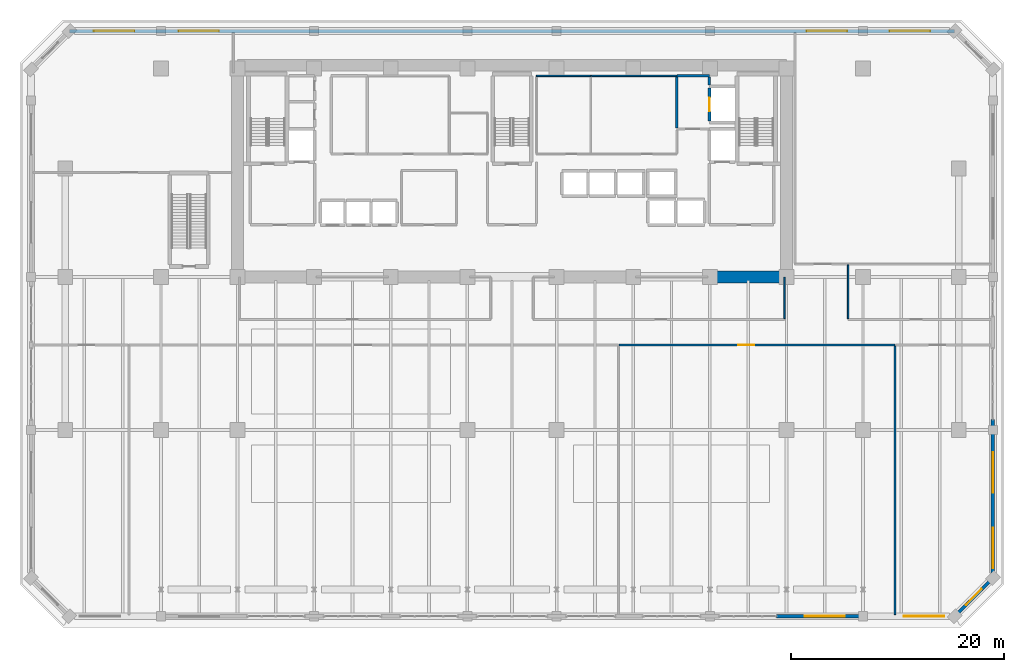
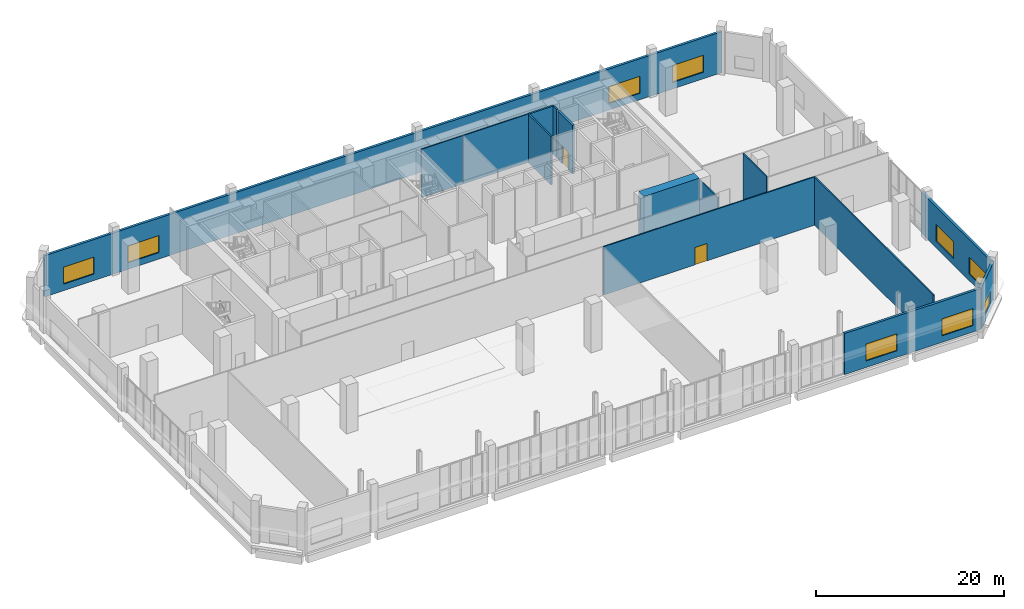
# One storey, part 24 of 29: 15 walls, 9 windows, 2 doors, 11 openings.
"""IFC4 building model written with IfcOpenShell, lengths in metres."""

from ifc_helpers import new_model, si_unit, direction, frame, frame_2d, origin, place, context, subcontext, project, spatial, rectangle, extrude, material, layer, layer_set, type_object, element, fill, save


model = new_model("IFC4")

# Units and contexts
model_context = context("Model", 3, precision=1e-05, world=origin(), true_north=direction((0.0, 1.0)))
body_context = subcontext(model_context, "Body", "Model", "MODEL_VIEW")
ifc_project = project(units=[si_unit("LENGTHUNIT", "METRE"), si_unit("AREAUNIT", "SQUARE_METRE"), si_unit("VOLUMEUNIT", "CUBIC_METRE"), si_unit("PLANEANGLEUNIT", "RADIAN"), si_unit("MASSUNIT", "GRAM", prefix="KILO")], contexts=[model_context])

# Site, building, storey
site_placement = place(None, origin())
site = spatial("IfcSite", under=ifc_project, at=site_placement, CompositionType="ELEMENT")
building_placement = place(site_placement, origin())
building = spatial("IfcBuilding", under=site, at=building_placement, Name="Kaelvorn Grand Hotel", CompositionType="ELEMENT")
storey_placement = place(building_placement, frame((0.0, 0.0, 19.39990234375)))
storey = spatial("IfcBuildingStorey", under=building, at=storey_placement, Name="L03", CompositionType="ELEMENT", Elevation=19.39990234375)

# Wall
ifc_material_1 = material(Name="Concrete C80/95", Category="concrete")
ifc_layer_1 = layer(ifc_material_1, 1.10009765625)
ifc_layer_set_1 = layer_set([ifc_layer_1], Name="Concrete C80/95")
wall_type_1 = type_object("IfcWallType", Name="WL-CORE-1100-C80", PredefinedType="SHEAR", material=ifc_layer_set_1)
wall_1_placement = place(storey_placement, frame((60.39990234375, 29.39990234375, 0.0), z_axis=(0.0, 0.0, 1.0), x_axis=(1.0, 0.0, 0.0)))
element("IfcWall", 1, at=wall_1_placement, inside=storey, type_object=wall_type_1, Name="L03 Rear-Core Coupled Shear Pier S4", PredefinedType="SHEAR", context=body_context, shape_type="SweptSolid", body=[
    extrude(rectangle(XDim=6.84521484375, YDim=1.10009765625, at=frame_2d((3.422607421875, 0.0))), origin(), (0.0, 0.0, 1.0), 6.280029296875),
])

# Wall, openings, windows
ifc_material_2 = material(Name="Concrete C40/50", Category="concrete")
ifc_layer_2 = layer(ifc_material_2, 0.300048828125)
ifc_layer_set_2 = layer_set([ifc_layer_2], Name="Concrete C40/50")
wall_type_2 = type_object("IfcWallType", Name="WL-EXT-300-C40", PredefinedType="SOLIDWALL", material=ifc_layer_set_2)
wall_2_placement = place(storey_placement, frame((66.875, -2.5, 0.0), z_axis=(0.0, 0.0, 1.0), x_axis=(1.0, 0.0, 0.0)))
wall_2 = element("IfcWall", 2, at=wall_2_placement, inside=storey, type_object=wall_type_2, Name="L03 Exterior Architectural Concrete Wall 01 Pier 8", PredefinedType="SOLIDWALL", context=body_context, shape_type="SweptSolid", body=[
    extrude(rectangle(XDim=16.72509765625, YDim=0.300048828125, at=frame_2d((8.362548828125, 0.0))), origin(), (0.0, 0.0, 1.0), 5.330078125),
])
opening_1_placement = place(wall_2_placement, frame((2.625, 0.0, 0.85009765625)))
opening_1 = element("IfcOpeningElement", 3, at=opening_1_placement, cuts=wall_2, Name="Opening W9", PredefinedType="OPENING", context=body_context, shape_type="SweptSolid", body=[
    extrude(rectangle(XDim=3.800048828125, YDim=2.199951171875, at=frame_2d((1.89990234375, 1.10009765625))), frame((0.0, 0.16015625, 0.0), z_axis=(0.0, -1.0, 0.0), x_axis=(1.0, 0.0, 0.0)), (0.0, 0.0, 1.0), 0.320068359375),
])
opening_2_placement = place(wall_2_placement, frame((11.949951171875, 0.0, 0.85009765625)))
opening_2 = element("IfcOpeningElement", 4, at=opening_2_placement, cuts=wall_2, Name="Opening W9", PredefinedType="OPENING", context=body_context, shape_type="SweptSolid", body=[
    extrude(rectangle(XDim=3.800048828125, YDim=2.199951171875, at=frame_2d((1.89990234375, 1.10009765625))), frame((0.0, 0.16015625, 0.0), z_axis=(0.0, -1.0, 0.0), x_axis=(1.0, 0.0, 0.0)), (0.0, 0.0, 1.0), 0.320068359375),
])
ifc_material_3 = material(Name="Laminated Low-E Glass", Category="glass")
window_type_1 = type_object("IfcWindowType", Name="WIN-POD-3800x2200", PartitioningType="SINGLE_PANEL", PredefinedType="WINDOW", material=ifc_material_3)
window_1_placement = place(opening_1_placement, origin())
window_1 = element("IfcWindow", 5, at=window_1_placement, inside=storey, type_object=window_type_1, Name="L03 Podium South Ribbon Window 1", OverallHeight=2.199951171875, OverallWidth=3.800048828125, PartitioningType="SINGLE_PANEL", PredefinedType="WINDOW", context=body_context, shape_type="SweptSolid", body=[
    extrude(rectangle(XDim=3.800048828125, YDim=2.199951171875, at=frame_2d((1.89990234375, 1.10009765625))), frame((0.0, 0.030029296875, 0.0), z_axis=(0.0, -1.0, 0.0), x_axis=(1.0, 0.0, 0.0)), (0.0, 0.0, 1.0), 0.06005859375),
])
fill(opening_1, window_1)
window_2_placement = place(opening_2_placement, origin())
window_2 = element("IfcWindow", 6, at=window_2_placement, inside=storey, type_object=window_type_1, Name="L03 Podium South Ribbon Window 2", OverallHeight=2.199951171875, OverallWidth=3.800048828125, PartitioningType="SINGLE_PANEL", PredefinedType="WINDOW", context=body_context, shape_type="SweptSolid", body=[
    extrude(rectangle(XDim=3.800048828125, YDim=2.199951171875, at=frame_2d((1.89990234375, 1.10009765625))), frame((0.0, 0.030029296875, 0.0), z_axis=(0.0, -1.0, 0.0), x_axis=(1.0, 0.0, 0.0)), (0.0, 0.0, 1.0), 0.06005859375),
])
fill(opening_2, window_2)

# Wall, opening, window
wall_3_placement = place(storey_placement, frame((83.60009765625, -2.5, 0.0), z_axis=(0.0, 0.0, 1.0), x_axis=(0.707082803744, 0.707130757816, 0.0)))
wall_3 = element("IfcWall", 7, at=wall_3_placement, inside=storey, type_object=wall_type_2, Name="L03 Exterior Architectural Concrete Wall 02", PredefinedType="SOLIDWALL", context=body_context, shape_type="SweptSolid", body=[
    extrude(rectangle(XDim=5.091064453125, YDim=0.300048828125, at=frame_2d((2.54541015625, 0.0))), origin(), (0.0, 0.0, 1.0), 5.330078125),
])
opening_3_placement = place(wall_3_placement, frame((1.49560546875, 0.0, 0.85009765625)))
opening_3 = element("IfcOpeningElement", 8, at=opening_3_placement, cuts=wall_3, Name="Opening W7", PredefinedType="OPENING", context=body_context, shape_type="SweptSolid", body=[
    extrude(rectangle(XDim=2.10009765625, YDim=1.60009765625, at=frame_2d((1.050048828125, 0.800048828125))), frame((0.0, 0.16015625, 0.0), z_axis=(0.0, -1.0, 0.0), x_axis=(1.0, 0.0, 0.0)), (0.0, 0.0, 1.0), 0.320068359375),
])
window_type_2 = type_object("IfcWindowType", Name="WIN-CHM-2100x1600", PartitioningType="SINGLE_PANEL", PredefinedType="WINDOW", material=ifc_material_3)
window_3_placement = place(opening_3_placement, origin())
window_3 = element("IfcWindow", 9, at=window_3_placement, inside=storey, type_object=window_type_2, Name="L03 Chamfered 45-Degree Corner Window SE", OverallHeight=1.60009765625, OverallWidth=2.10009765625, PartitioningType="SINGLE_PANEL", PredefinedType="WINDOW", context=body_context, shape_type="SweptSolid", body=[
    extrude(rectangle(XDim=2.10009765625, YDim=1.60009765625, at=frame_2d((1.050048828125, 0.800048828125))), frame((0.0, 0.030029296875, 0.0), z_axis=(0.0, -1.0, 0.0), x_axis=(1.0, 0.0, 0.0)), (0.0, 0.0, 1.0), 0.06005859375),
])
fill(opening_3, window_3)

# Wall, openings, windows
wall_4_placement = place(storey_placement, frame((87.199951171875, 1.10009765625, 0.0), z_axis=(0.0, 0.0, 1.0), x_axis=(0.0, 1.0, 0.0)))
wall_4 = element("IfcWall", 10, at=wall_4_placement, inside=storey, type_object=wall_type_2, Name="L03 Exterior Architectural Concrete Wall 03 Pier 1", PredefinedType="SOLIDWALL", context=body_context, shape_type="SweptSolid", body=[
    extrude(rectangle(XDim=14.90478515625, YDim=0.300048828125, at=frame_2d((7.452392578125, 0.0))), origin(), (0.0, 0.0, 1.0), 5.330078125),
])
opening_4_placement = place(wall_4_placement, frame((0.925048828125, 0.0, 0.85009765625)))
opening_4 = element("IfcOpeningElement", 11, at=opening_4_placement, cuts=wall_4, Name="Opening W9", PredefinedType="OPENING", context=body_context, shape_type="SweptSolid", body=[
    extrude(rectangle(XDim=3.800048828125, YDim=2.199951171875, at=frame_2d((1.89990234375, 1.10009765625))), frame((0.0, 0.16015625, 0.0), z_axis=(0.0, -1.0, 0.0), x_axis=(1.0, 0.0, 0.0)), (0.0, 0.0, 1.0), 0.320068359375),
])
opening_5_placement = place(wall_4_placement, frame((8.0, 0.0, 0.85009765625)))
opening_5 = element("IfcOpeningElement", 12, at=opening_5_placement, cuts=wall_4, Name="Opening W9", PredefinedType="OPENING", context=body_context, shape_type="SweptSolid", body=[
    extrude(rectangle(XDim=3.800048828125, YDim=2.199951171875, at=frame_2d((1.89990234375, 1.10009765625))), frame((0.0, 0.16015625, 0.0), z_axis=(0.0, -1.0, 0.0), x_axis=(1.0, 0.0, 0.0)), (0.0, 0.0, 1.0), 0.320068359375),
])
window_4_placement = place(opening_4_placement, origin())
window_4 = element("IfcWindow", 13, at=window_4_placement, inside=storey, type_object=window_type_1, Name="L03 Podium E Ribbon Window 1", OverallHeight=2.199951171875, OverallWidth=3.800048828125, PartitioningType="SINGLE_PANEL", PredefinedType="WINDOW", context=body_context, shape_type="SweptSolid", body=[
    extrude(rectangle(XDim=3.800048828125, YDim=2.199951171875, at=frame_2d((1.89990234375, 1.10009765625))), frame((0.0, 0.030029296875, 0.0), z_axis=(0.0, -1.0, 0.0), x_axis=(1.0, 0.0, 0.0)), (0.0, 0.0, 1.0), 0.06005859375),
])
fill(opening_4, window_4)
window_5_placement = place(opening_5_placement, origin())
window_5 = element("IfcWindow", 14, at=window_5_placement, inside=storey, type_object=window_type_1, Name="L03 Podium E Ribbon Window 2", OverallHeight=2.199951171875, OverallWidth=3.800048828125, PartitioningType="SINGLE_PANEL", PredefinedType="WINDOW", context=body_context, shape_type="SweptSolid", body=[
    extrude(rectangle(XDim=3.800048828125, YDim=2.199951171875, at=frame_2d((1.89990234375, 1.10009765625))), frame((0.0, 0.030029296875, 0.0), z_axis=(0.0, -1.0, 0.0), x_axis=(1.0, 0.0, 0.0)), (0.0, 0.0, 1.0), 0.06005859375),
])
fill(opening_5, window_5)

wall_5_placement = place(storey_placement, frame((83.60009765625, 52.5, 0.0), z_axis=(0.0, 0.0, 1.0), x_axis=(-1.0, 0.0, 0.0)))
wall_5 = element("IfcWall", 15, at=wall_5_placement, inside=storey, type_object=wall_type_2, Name="L03 Exterior Architectural Concrete Wall 05", PredefinedType="SOLIDWALL", context=body_context, shape_type="SweptSolid", body=[
    extrude(rectangle(XDim=83.2001953125, YDim=0.300048828125, at=frame_2d((41.60009765625, 0.0))), origin(), (0.0, 0.0, 1.0), 5.330078125),
])
opening_6_placement = place(wall_5_placement, frame((77.10009765625, 0.0, 0.85009765625)))
opening_6 = element("IfcOpeningElement", 16, at=opening_6_placement, cuts=wall_5, Name="Opening W9", PredefinedType="OPENING", context=body_context, shape_type="SweptSolid", body=[
    extrude(rectangle(XDim=3.800048828125, YDim=2.199951171875, at=frame_2d((1.89990234375, 1.10009765625))), frame((0.0, 0.16015625, 0.0), z_axis=(0.0, -1.0, 0.0), x_axis=(1.0, 0.0, 0.0)), (0.0, 0.0, 1.0), 0.320068359375),
])
opening_7_placement = place(wall_5_placement, frame((69.14990234375, 0.0, 0.85009765625)))
opening_7 = element("IfcOpeningElement", 17, at=opening_7_placement, cuts=wall_5, Name="Opening W9", PredefinedType="OPENING", context=body_context, shape_type="SweptSolid", body=[
    extrude(rectangle(XDim=3.800048828125, YDim=2.199951171875, at=frame_2d((1.89990234375, 1.10009765625))), frame((0.0, 0.16015625, 0.0), z_axis=(0.0, -1.0, 0.0), x_axis=(1.0, 0.0, 0.0)), (0.0, 0.0, 1.0), 0.320068359375),
])
opening_8_placement = place(wall_5_placement, frame((10.10009765625, 0.0, 0.85009765625)))
opening_8 = element("IfcOpeningElement", 18, at=opening_8_placement, cuts=wall_5, Name="Opening W9", PredefinedType="OPENING", context=body_context, shape_type="SweptSolid", body=[
    extrude(rectangle(XDim=3.800048828125, YDim=2.199951171875, at=frame_2d((1.89990234375, 1.10009765625))), frame((0.0, 0.16015625, 0.0), z_axis=(0.0, -1.0, 0.0), x_axis=(1.0, 0.0, 0.0)), (0.0, 0.0, 1.0), 0.320068359375),
])
opening_9_placement = place(wall_5_placement, frame((2.300048828125, 0.0, 0.85009765625)))
opening_9 = element("IfcOpeningElement", 19, at=opening_9_placement, cuts=wall_5, Name="Opening W9", PredefinedType="OPENING", context=body_context, shape_type="SweptSolid", body=[
    extrude(rectangle(XDim=3.800048828125, YDim=2.199951171875, at=frame_2d((1.89990234375, 1.10009765625))), frame((0.0, 0.16015625, 0.0), z_axis=(0.0, -1.0, 0.0), x_axis=(1.0, 0.0, 0.0)), (0.0, 0.0, 1.0), 0.320068359375),
])
window_6_placement = place(opening_6_placement, origin())
window_6 = element("IfcWindow", 20, at=window_6_placement, inside=storey, type_object=window_type_1, Name="L03 Podium NW Ribbon Window 1", OverallHeight=2.199951171875, OverallWidth=3.800048828125, PartitioningType="SINGLE_PANEL", PredefinedType="WINDOW", context=body_context, shape_type="SweptSolid", body=[
    extrude(rectangle(XDim=3.800048828125, YDim=2.199951171875, at=frame_2d((1.89990234375, 1.10009765625))), frame((0.0, 0.030029296875, 0.0), z_axis=(0.0, -1.0, 0.0), x_axis=(1.0, 0.0, 0.0)), (0.0, 0.0, 1.0), 0.06005859375),
])
fill(opening_6, window_6)
window_7_placement = place(opening_7_placement, origin())
window_7 = element("IfcWindow", 21, at=window_7_placement, inside=storey, type_object=window_type_1, Name="L03 Podium NW Ribbon Window 2", OverallHeight=2.199951171875, OverallWidth=3.800048828125, PartitioningType="SINGLE_PANEL", PredefinedType="WINDOW", context=body_context, shape_type="SweptSolid", body=[
    extrude(rectangle(XDim=3.800048828125, YDim=2.199951171875, at=frame_2d((1.89990234375, 1.10009765625))), frame((0.0, 0.030029296875, 0.0), z_axis=(0.0, -1.0, 0.0), x_axis=(1.0, 0.0, 0.0)), (0.0, 0.0, 1.0), 0.06005859375),
])
fill(opening_7, window_7)
window_8_placement = place(opening_8_placement, origin())
window_8 = element("IfcWindow", 22, at=window_8_placement, inside=storey, type_object=window_type_1, Name="L03 Podium NE Ribbon Window 1", OverallHeight=2.199951171875, OverallWidth=3.800048828125, PartitioningType="SINGLE_PANEL", PredefinedType="WINDOW", context=body_context, shape_type="SweptSolid", body=[
    extrude(rectangle(XDim=3.800048828125, YDim=2.199951171875, at=frame_2d((1.89990234375, 1.10009765625))), frame((0.0, 0.030029296875, 0.0), z_axis=(0.0, -1.0, 0.0), x_axis=(1.0, 0.0, 0.0)), (0.0, 0.0, 1.0), 0.06005859375),
])
fill(opening_8, window_8)
window_9_placement = place(opening_9_placement, origin())
window_9 = element("IfcWindow", 23, at=window_9_placement, inside=storey, type_object=window_type_1, Name="L03 Podium NE Ribbon Window 2", OverallHeight=2.199951171875, OverallWidth=3.800048828125, PartitioningType="SINGLE_PANEL", PredefinedType="WINDOW", context=body_context, shape_type="SweptSolid", body=[
    extrude(rectangle(XDim=3.800048828125, YDim=2.199951171875, at=frame_2d((1.89990234375, 1.10009765625))), frame((0.0, 0.030029296875, 0.0), z_axis=(0.0, -1.0, 0.0), x_axis=(1.0, 0.0, 0.0)), (0.0, 0.0, 1.0), 0.06005859375),
])
fill(opening_9, window_9)

# Walls
ifc_material_4 = material(Name="Moisture-Resistant Tile & Stud Board")
ifc_layer_3 = layer(ifc_material_4, 0.125)
ifc_layer_set_3 = layer_set([ifc_layer_3], Name="Moisture-Resistant Tile & Stud Board")
wall_type_3 = type_object("IfcWallType", Name="WL-PART-125-WET", PredefinedType="PARTITIONING", material=ifc_layer_set_3)
wall_6_placement = place(storey_placement, frame((44.300048828125, 48.300048828125, 0.0), z_axis=(0.0, 0.0, 1.0), x_axis=(1.0, 0.0, 0.0)))
element("IfcWall", 24, at=wall_6_placement, inside=storey, type_object=wall_type_3, Name="L03 Male Toilets N Partition", PredefinedType="PARTITIONING", context=body_context, shape_type="SweptSolid", body=[
    extrude(rectangle(XDim=5.099853515625, YDim=0.125, at=frame_2d((2.5498046875, 0.0))), origin(), (0.0, 0.0, 1.0), 6.280029296875),
])
wall_7_placement = place(storey_placement, frame((49.467529296875, 48.300048828125, 0.0), z_axis=(0.0, 0.0, 1.0), x_axis=(1.0, 0.0, 0.0)))
element("IfcWall", 25, at=wall_7_placement, inside=storey, type_object=wall_type_3, Name="L03 Female Toilets N Partition", PredefinedType="PARTITIONING", context=body_context, shape_type="SweptSolid", body=[
    extrude(rectangle(XDim=8.0224609375, YDim=0.125, at=frame_2d((4.01123046875, 0.0))), origin(), (0.0, 0.0, 1.0), 6.280029296875),
])
ifc_material_5 = material(Name="Acoustic Gypsum & Stud Partition")
ifc_layer_4 = layer(ifc_material_5, 0.14990234375)
ifc_layer_set_4 = layer_set([ifc_layer_4], Name="Acoustic Gypsum & Stud Partition")
wall_type_4 = type_object("IfcWallType", Name="WL-PART-150-EI60", PredefinedType="PARTITIONING", material=ifc_layer_set_4)
wall_8_placement = place(storey_placement, frame((73.60009765625, 25.47998046875, 0.0), z_axis=(0.0, 0.0, 1.0), x_axis=(0.0, 1.0, 0.0)))
element("IfcWall", 26, at=wall_8_placement, inside=storey, type_object=wall_type_4, Name="L03 L03 East Podium Support Office W Partition", PredefinedType="PARTITIONING", context=body_context, shape_type="SweptSolid", body=[
    extrude(rectangle(XDim=5.0400390625, YDim=0.14990234375, at=frame_2d((2.52001953125, 0.0))), origin(), (0.0, 0.0, 1.0), 6.280029296875),
])

# Wall, opening, door
wall_9_placement = place(storey_placement, frame((52.080078125, 23.0, 0.0), z_axis=(0.0, 0.0, 1.0), x_axis=(1.0, 0.0, 0.0)))
wall_9 = element("IfcWall", 27, at=wall_9_placement, inside=storey, type_object=wall_type_4, Name="L03 Pre-Function Foyer N Partition", PredefinedType="PARTITIONING", context=body_context, shape_type="SweptSolid", body=[
    extrude(rectangle(XDim=25.919921875, YDim=0.14990234375, at=frame_2d((12.9599609375, 0.0))), origin(), (0.0, 0.0, 1.0), 6.280029296875),
])
opening_10_placement = place(wall_9_placement, frame((11.169921875, 0.0, 0.0)))
opening_10 = element("IfcOpeningElement", 28, at=opening_10_placement, cuts=wall_9, Name="Opening DI5", PredefinedType="OPENING", context=body_context, shape_type="SweptSolid", body=[
    extrude(rectangle(XDim=1.5, YDim=2.25, at=frame_2d((0.75, 1.125))), frame((0.0, 0.0849609375, 0.0), z_axis=(0.0, -1.0, 0.0), x_axis=(1.0, 0.0, 0.0)), (0.0, 0.0, 1.0), 0.169921875),
])
ifc_material_6 = material(Name="Timber Veneer Fire Leaf", Category="wood")
door_type_1 = type_object("IfcDoorType", Name="DR-INT-SALON-1500x2250", OperationType="DOUBLE_DOOR_SINGLE_SWING", PredefinedType="DOOR", material=ifc_material_6)
door_1_placement = place(opening_10_placement, origin())
door_1 = element("IfcDoor", 29, at=door_1_placement, inside=storey, type_object=door_type_1, Name="L03 Pre-Function Foyer Door", OperationType="DOUBLE_DOOR_SINGLE_SWING", OverallHeight=2.25, OverallWidth=1.5, PredefinedType="DOOR", context=body_context, shape_type="SweptSolid", body=[
    extrude(rectangle(XDim=1.5, YDim=2.25, at=frame_2d((0.75, 1.125))), frame((0.0, 0.02490234375, 0.0), z_axis=(0.0, -1.0, 0.0), x_axis=(1.0, 0.0, 0.0)), (0.0, 0.0, 1.0), 0.050048828125),
])
fill(opening_10, door_1)

# Walls
wall_10_placement = place(storey_placement, frame((78.0, -2.344970703125, 0.0), z_axis=(0.0, 0.0, 1.0), x_axis=(0.0, 1.0, 0.0)))
element("IfcWall", 30, at=wall_10_placement, inside=storey, type_object=wall_type_4, Name="L03 Pre-Function Foyer E Partition", PredefinedType="PARTITIONING", context=body_context, shape_type="SweptSolid", body=[
    extrude(rectangle(XDim=25.264892578125, YDim=0.14990234375, at=frame_2d((12.63232421875, 0.0))), origin(), (0.0, 0.0, 1.0), 6.280029296875),
])
wall_11_placement = place(storey_placement, frame((67.60009765625, 25.47998046875, 0.0), z_axis=(0.0, 0.0, 1.0), x_axis=(0.0, 1.0, 0.0)))
element("IfcWall", 31, at=wall_11_placement, inside=storey, type_object=wall_type_4, Name="L03 Performers & Speakers Green Room E Partition", PredefinedType="PARTITIONING", context=body_context, shape_type="SweptSolid", body=[
    extrude(rectangle(XDim=3.909912109375, YDim=0.14990234375, at=frame_2d((1.955078125, 0.0))), origin(), (0.0, 0.0, 1.0), 5.68017578125),
])
ifc_layer_5 = layer(ifc_material_2, 0.219970703125)
ifc_layer_set_5 = layer_set([ifc_layer_5], Name="Concrete C40/50")
wall_type_5 = type_object("IfcWallType", Name="WL-PART-220-EI120", PredefinedType="PARTITIONING", material=ifc_layer_set_5)
wall_12_placement = place(storey_placement, frame((57.5, 48.300048828125, 0.0), z_axis=(0.0, 0.0, 1.0), x_axis=(1.0, 0.0, 0.0)))
element("IfcWall", 32, at=wall_12_placement, inside=storey, type_object=wall_type_5, Name="L03 Service Lift Lobby N Partition", PredefinedType="PARTITIONING", context=body_context, shape_type="SweptSolid", body=[
    extrude(rectangle(XDim=3.050048828125, YDim=0.219970703125, at=frame_2d((1.52490234375, 0.0))), origin(), (0.0, 0.0, 1.0), 6.280029296875),
])
wall_13_placement = place(storey_placement, frame((57.5, 43.4150390625, 0.0), z_axis=(0.0, 0.0, 1.0), x_axis=(0.0, 1.0, 0.0)))
element("IfcWall", 33, at=wall_13_placement, inside=storey, type_object=wall_type_5, Name="L03 Service Lift Lobby W Partition", PredefinedType="PARTITIONING", context=body_context, shape_type="SweptSolid", body=[
    extrude(rectangle(XDim=4.77001953125, YDim=0.219970703125, at=frame_2d((2.385009765625, 0.0))), origin(), (0.0, 0.0, 1.0), 6.280029296875),
])
wall_14_placement = place(storey_placement, frame((60.550048828125, 47.445068359375, 0.0), z_axis=(0.0, 0.0, 1.0), x_axis=(0.0, 1.0, 0.0)))
element("IfcWall", 34, at=wall_14_placement, inside=storey, type_object=wall_type_5, Name="L03 Service Lift Lobby E Partition", PredefinedType="PARTITIONING", context=body_context, shape_type="SweptSolid", body=[
    extrude(rectangle(XDim=0.739990234375, YDim=0.219970703125, at=frame_2d((0.3701171875, 0.0))), origin(), (0.0, 0.0, 1.0), 6.280029296875),
])

# Wall, opening, door
ifc_material_7 = material(Name="Concrete C50/60", Category="concrete")
ifc_layer_6 = layer(ifc_material_7, 0.280029296875)
ifc_layer_set_6 = layer_set([ifc_layer_6], Name="Concrete C50/60")
wall_type_6 = type_object("IfcWallType", Name="WL-SHAFT-280-C50", PredefinedType="SHEAR", material=ifc_layer_set_6)
wall_15_placement = place(storey_placement, frame((60.550048828125, 44.044921875, 0.0), z_axis=(0.0, 0.0, 1.0), x_axis=(0.0, 1.0, 0.0)))
wall_15 = element("IfcWall", 35, at=wall_15_placement, inside=storey, type_object=wall_type_6, Name="L03 Lift SV1 Shaft West Wall", PredefinedType="SHEAR", context=body_context, shape_type="SweptSolid", body=[
    extrude(rectangle(XDim=3.110107421875, YDim=0.280029296875, at=frame_2d((1.55517578125, 0.0))), origin(), (0.0, 0.0, 1.0), 6.280029296875),
])
opening_11_placement = place(wall_15_placement, frame((0.905029296875, 0.0, 0.0)))
opening_11 = element("IfcOpeningElement", 36, at=opening_11_placement, cuts=wall_15, Name="Opening LD-SV1", PredefinedType="OPENING", context=body_context, shape_type="SweptSolid", body=[
    extrude(rectangle(XDim=1.300048828125, YDim=2.300048828125, at=frame_2d((0.64990234375, 1.14990234375))), frame((0.0, 0.14990234375, 0.0), z_axis=(0.0, -1.0, 0.0), x_axis=(1.0, 0.0, 0.0)), (0.0, 0.0, 1.0), 0.300048828125),
])
ifc_material_8 = material(Name="Stainless Steel", Category="steel")
door_type_2 = type_object("IfcDoorType", Name="DR-LIFT-SERV-1300x2300", OperationType="DOUBLE_DOOR_SLIDING", PredefinedType="DOOR", material=ifc_material_8)
door_2_placement = place(opening_11_placement, origin())
door_2 = element("IfcDoor", 37, at=door_2_placement, inside=storey, type_object=door_type_2, Name="L03 Lift SV1 Sliding Landing Door LD-SV1", OperationType="DOUBLE_DOOR_SLIDING", OverallHeight=2.300048828125, OverallWidth=1.300048828125, PredefinedType="DOOR", context=body_context, shape_type="SweptSolid", body=[
    extrude(rectangle(XDim=1.300048828125, YDim=2.300048828125, at=frame_2d((0.64990234375, 1.14990234375))), frame((0.0, 0.02490234375, 0.0), z_axis=(0.0, -1.0, 0.0), x_axis=(1.0, 0.0, 0.0)), (0.0, 0.0, 1.0), 0.050048828125),
])
fill(opening_11, door_2)

save(model, "model.ifc")
